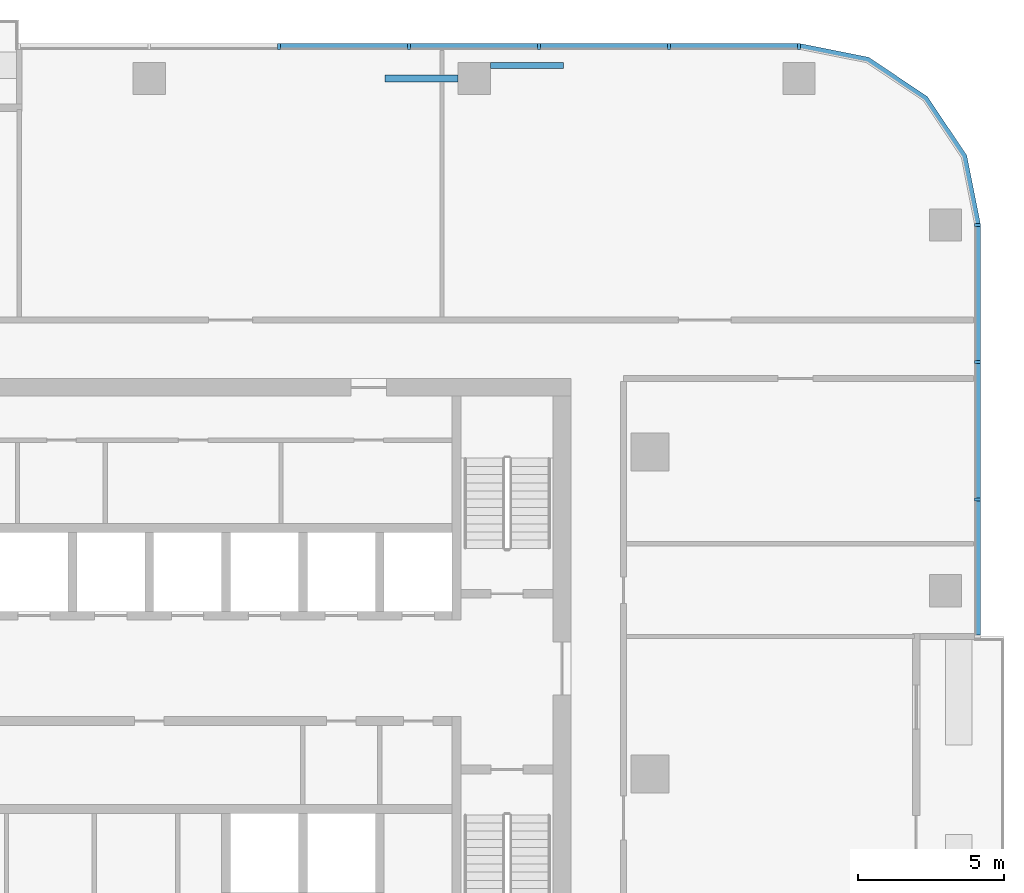
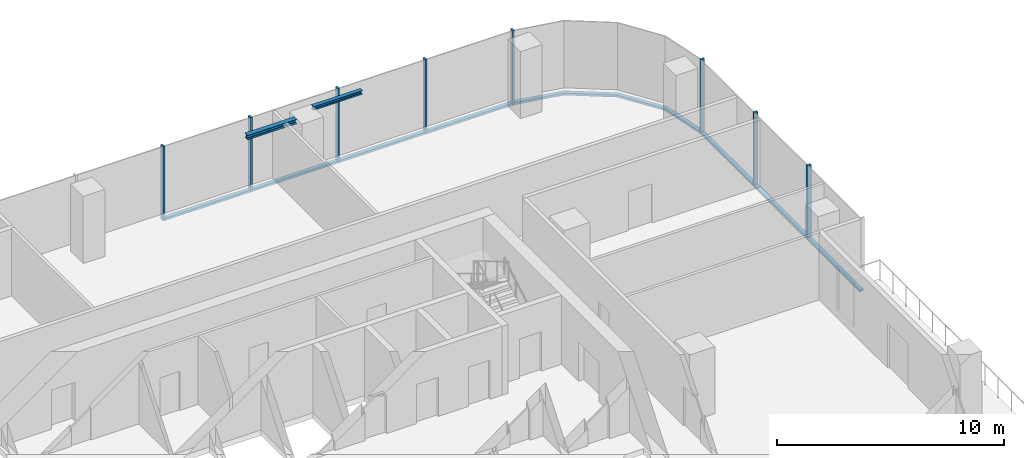
# One storey, part 5 of 14: 16 members, 2 beams, 3 elements without a shape of their own.
"""IFC4 building model written with IfcOpenShell, lengths in metres."""

from ifc_helpers import new_model, si_unit, direction, frame, origin, origin_2d, place, context, subcontext, project, spatial, polyline, rectangle, i_section, outline, extrude, material, material_profile, profile_set, type_object, element, aggregate, save


model = new_model("IFC4")

# Units and contexts
model_context = context("Model", 3, precision=1e-05, world=origin(), true_north=direction((0.0, 1.0)))
body_context = subcontext(model_context, "Body", "Model", "MODEL_VIEW")
ifc_project = project(units=[si_unit("LENGTHUNIT", "METRE"), si_unit("AREAUNIT", "SQUARE_METRE"), si_unit("VOLUMEUNIT", "CUBIC_METRE"), si_unit("PLANEANGLEUNIT", "RADIAN"), si_unit("MASSUNIT", "GRAM", prefix="KILO")], contexts=[model_context])

# Site, building, storey
site_placement = place(None, origin())
site = spatial("IfcSite", under=ifc_project, at=site_placement, CompositionType="ELEMENT")
building_placement = place(site_placement, origin())
building = spatial("IfcBuilding", under=site, at=building_placement, Name="Mopane Tessera Tower", CompositionType="ELEMENT")
storey_placement = place(building_placement, frame((0.0, 0.0, 231.0)))
storey = spatial("IfcBuildingStorey", under=building, at=storey_placement, Name="L49", CompositionType="ELEMENT", Elevation=231.0)

# Curtain wall, members
ifc_material_1 = material(Name="Aluminium frame", Category="aluminium")
curtain_wall_type = type_object("IfcCurtainWallType", Name="Unitised curtain wall", PredefinedType="NOTDEFINED", material=ifc_material_1)
curtain_wall_1_placement = place(storey_placement, origin())
curtain_wall_1 = element("IfcCurtainWall", 1, at=curtain_wall_1_placement, inside=storey, type_object=curtain_wall_type, Name="e:cw:L49:E:5", PredefinedType="NOTDEFINED")
ifc_material_2 = material(Name="Aluminium frame", Category="aluminium")
ifc_material_profile_1 = material_profile(ifc_material_2, rectangle(XDim=0.10009765625, YDim=0.199951171875, at=origin_2d()))
ifc_profile_set_1 = profile_set([ifc_material_profile_1], Name="Aluminium frame")
member_type_1 = type_object("IfcMemberType", Name="Aluminium mullion 100 x 200", PredefinedType="MULLION", material=ifc_profile_set_1)
member_1_placement = place(storey_placement, frame((28.300048828125, 9.375, -0.39990234375), z_axis=(0.0, 0.0, 1.0), x_axis=(0.0, 1.0, 0.0)))
member_1 = element("IfcMember", 2, at=member_1_placement, type_object=member_type_1, Name="e:cw:L49:E:5:mu6", PredefinedType="MULLION", context=body_context, shape_type="SweptSolid", body=[
    extrude(rectangle(XDim=0.10009765625, YDim=0.199951171875, at=origin_2d()), origin(), (0.0, 0.0, 1.0), 4.0),
])
member_2_placement = place(storey_placement, frame((28.300048828125, 14.0625, -0.39990234375), z_axis=(0.0, 0.0, 1.0), x_axis=(0.0, 1.0, 0.0)))
member_2 = element("IfcMember", 3, at=member_2_placement, type_object=member_type_1, Name="e:cw:L49:E:5:mu7", PredefinedType="MULLION", context=body_context, shape_type="SweptSolid", body=[
    extrude(rectangle(XDim=0.10009765625, YDim=0.199951171875, at=origin_2d()), origin(), (0.0, 0.0, 1.0), 4.0),
])
member_3_placement = place(storey_placement, frame((28.300048828125, 18.75, -0.39990234375), z_axis=(0.0, 0.0, 1.0), x_axis=(0.0, 1.0, 0.0)))
member_3 = element("IfcMember", 4, at=member_3_placement, type_object=member_type_1, Name="e:cw:L49:E:5:mu8", PredefinedType="MULLION", context=body_context, shape_type="SweptSolid", body=[
    extrude(rectangle(XDim=0.10009765625, YDim=0.199951171875, at=origin_2d()), origin(), (0.0, 0.0, 1.0), 4.0),
])

curtain_wall_2_placement = place(storey_placement, origin())
curtain_wall_2 = element("IfcCurtainWall", 5, at=curtain_wall_2_placement, inside=storey, type_object=curtain_wall_type, Name="e:cw:L49:N:0", PredefinedType="NOTDEFINED")
member_4_placement = place(storey_placement, frame((22.199951171875, 24.85009765625, -0.39990234375), z_axis=(0.0, 0.0, 1.0), x_axis=(-1.0, 0.0, 0.0)))
member_4 = element("IfcMember", 6, at=member_4_placement, type_object=member_type_1, Name="e:cw:L49:N:0:mu0", PredefinedType="MULLION", context=body_context, shape_type="SweptSolid", body=[
    extrude(rectangle(XDim=0.10009765625, YDim=0.199951171875, at=origin_2d()), origin(), (0.0, 0.0, 1.0), 4.0),
])
member_5_placement = place(storey_placement, frame((17.760009765625, 24.85009765625, -0.39990234375), z_axis=(0.0, 0.0, 1.0), x_axis=(-1.0, 0.0, 0.0)))
member_5 = element("IfcMember", 7, at=member_5_placement, type_object=member_type_1, Name="e:cw:L49:N:0:mu1", PredefinedType="MULLION", context=body_context, shape_type="SweptSolid", body=[
    extrude(rectangle(XDim=0.10009765625, YDim=0.199951171875, at=origin_2d()), origin(), (0.0, 0.0, 1.0), 4.0),
])
member_6_placement = place(storey_placement, frame((13.320068359375, 24.85009765625, -0.39990234375), z_axis=(0.0, 0.0, 1.0), x_axis=(-1.0, 0.0, 0.0)))
member_6 = element("IfcMember", 8, at=member_6_placement, type_object=member_type_1, Name="e:cw:L49:N:0:mu2", PredefinedType="MULLION", context=body_context, shape_type="SweptSolid", body=[
    extrude(rectangle(XDim=0.10009765625, YDim=0.199951171875, at=origin_2d()), origin(), (0.0, 0.0, 1.0), 4.0),
])
member_7_placement = place(storey_placement, frame((8.8798828125, 24.85009765625, -0.39990234375), z_axis=(0.0, 0.0, 1.0), x_axis=(-1.0, 0.0, 0.0)))
member_7 = element("IfcMember", 9, at=member_7_placement, type_object=member_type_1, Name="e:cw:L49:N:0:mu3", PredefinedType="MULLION", context=body_context, shape_type="SweptSolid", body=[
    extrude(rectangle(XDim=0.10009765625, YDim=0.199951171875, at=origin_2d()), origin(), (0.0, 0.0, 1.0), 4.0),
])
member_8_placement = place(storey_placement, frame((4.43994140625, 24.85009765625, -0.39990234375), z_axis=(0.0, 0.0, 1.0), x_axis=(-1.0, 0.0, 0.0)))
member_8 = element("IfcMember", 10, at=member_8_placement, type_object=member_type_1, Name="e:cw:L49:N:0:mu4", PredefinedType="MULLION", context=body_context, shape_type="SweptSolid", body=[
    extrude(rectangle(XDim=0.10009765625, YDim=0.199951171875, at=origin_2d()), origin(), (0.0, 0.0, 1.0), 4.0),
])

# Member
ifc_material_3 = material(Name="Aluminium frame", Category="aluminium")
ifc_material_profile_2 = material_profile(ifc_material_3, rectangle(XDim=0.199951171875, YDim=0.1201171875, at=origin_2d()))
ifc_profile_set_2 = profile_set([ifc_material_profile_2], Name="Aluminium frame")
member_type_2 = type_object("IfcMemberType", Name="Aluminium transom 200 x 120", PredefinedType="USERDEFINED", material=ifc_profile_set_2)
member_9_placement = place(storey_placement, frame((28.300048828125, 4.737548828125, -0.340087890625), z_axis=(0.0, 1.0, 0.0), x_axis=(-1.0, 0.0, 0.0)))
member_9 = element("IfcMember", 11, at=member_9_placement, type_object=member_type_2, Name="e:cw:L49:E:5:tr5", ObjectType="TRANSOM", PredefinedType="USERDEFINED", context=body_context, shape_type="SweptSolid", body=[
    extrude(rectangle(XDim=0.199951171875, YDim=0.1201171875, at=origin_2d()), origin(), (0.0, 0.0, 1.0), 4.58740234375),
])

member_10_placement = place(storey_placement, frame((28.300048828125, 9.425048828125, -0.340087890625), z_axis=(0.0, 1.0, 0.0), x_axis=(-1.0, 0.0, 0.0)))
member_10 = element("IfcMember", 12, at=member_10_placement, type_object=member_type_2, Name="e:cw:L49:E:5:tr6", ObjectType="TRANSOM", PredefinedType="USERDEFINED", context=body_context, shape_type="SweptSolid", body=[
    extrude(rectangle(XDim=0.199951171875, YDim=0.1201171875, at=origin_2d()), origin(), (0.0, 0.0, 1.0), 4.58740234375),
])

member_11_placement = place(storey_placement, frame((28.300048828125, 14.112548828125, -0.340087890625), z_axis=(0.0, 1.0, 0.0), x_axis=(-1.0, 0.0, 0.0)))
member_11 = element("IfcMember", 13, at=member_11_placement, type_object=member_type_2, Name="e:cw:L49:E:5:tr7", ObjectType="TRANSOM", PredefinedType="USERDEFINED", context=body_context, shape_type="SweptSolid", body=[
    extrude(rectangle(XDim=0.199951171875, YDim=0.1201171875, at=origin_2d()), origin(), (0.0, 0.0, 1.0), 4.58740234375),
])

aggregate(curtain_wall_1, [member_1, member_2, member_3, member_9, member_10, member_11])

# Curtain wall, member
curtain_wall_3_placement = place(storey_placement, origin())
curtain_wall_3 = element("IfcCurtainWall", 14, at=curtain_wall_3_placement, inside=storey, type_object=curtain_wall_type, Name="e:cw:L49:CE", PredefinedType="NOTDEFINED")
member_12_placement = place(storey_placement, frame((0.0, 0.0, -0.39990234375)))
member_12 = element("IfcMember", 15, at=member_12_placement, type_object=member_type_2, Name="e:cw:L49:CE:tr", ObjectType="TRANSOM", PredefinedType="USERDEFINED", context=body_context, shape_type="SweptSolid", body=[
    extrude(outline(polyline([(28.199951171875, 18.75), (27.7431640625, 21.046142578125), (26.442626953125, 22.99267578125), (24.49609375, 24.293212890625), (22.199951171875, 24.75), (22.199951171875, 24.949951171875), (24.57275390625, 24.47802734375), (26.583984375, 23.134033203125), (27.927978515625, 21.12255859375), (28.39990234375, 18.75), (28.199951171875, 18.75)])), origin(), (0.0, 0.0, 1.0), 0.119873046875),
])
aggregate(curtain_wall_3, [member_12])

# Member
member_13_placement = place(storey_placement, frame((22.14990234375, 24.85009765625, -0.340087890625), z_axis=(-1.0, 0.0, 0.0), x_axis=(0.0, -1.0, 0.0)))
member_13 = element("IfcMember", 16, at=member_13_placement, type_object=member_type_2, Name="e:cw:L49:N:0:tr0", ObjectType="TRANSOM", PredefinedType="USERDEFINED", context=body_context, shape_type="SweptSolid", body=[
    extrude(rectangle(XDim=0.199951171875, YDim=0.1201171875, at=origin_2d()), origin(), (0.0, 0.0, 1.0), 4.33984375),
])

member_14_placement = place(storey_placement, frame((17.7099609375, 24.85009765625, -0.340087890625), z_axis=(-1.0, 0.0, 0.0), x_axis=(0.0, -1.0, 0.0)))
member_14 = element("IfcMember", 17, at=member_14_placement, type_object=member_type_2, Name="e:cw:L49:N:0:tr1", ObjectType="TRANSOM", PredefinedType="USERDEFINED", context=body_context, shape_type="SweptSolid", body=[
    extrude(rectangle(XDim=0.199951171875, YDim=0.1201171875, at=origin_2d()), origin(), (0.0, 0.0, 1.0), 4.33984375),
])

member_15_placement = place(storey_placement, frame((13.27001953125, 24.85009765625, -0.340087890625), z_axis=(-1.0, 0.0, 0.0), x_axis=(0.0, -1.0, 0.0)))
member_15 = element("IfcMember", 18, at=member_15_placement, type_object=member_type_2, Name="e:cw:L49:N:0:tr2", ObjectType="TRANSOM", PredefinedType="USERDEFINED", context=body_context, shape_type="SweptSolid", body=[
    extrude(rectangle(XDim=0.199951171875, YDim=0.1201171875, at=origin_2d()), origin(), (0.0, 0.0, 1.0), 4.340087890625),
])

member_16_placement = place(storey_placement, frame((8.830078125, 24.85009765625, -0.340087890625), z_axis=(-1.0, 0.0, 0.0), x_axis=(0.0, -1.0, 0.0)))
member_16 = element("IfcMember", 19, at=member_16_placement, type_object=member_type_2, Name="e:cw:L49:N:0:tr3", ObjectType="TRANSOM", PredefinedType="USERDEFINED", context=body_context, shape_type="SweptSolid", body=[
    extrude(rectangle(XDim=0.199951171875, YDim=0.1201171875, at=origin_2d()), origin(), (0.0, 0.0, 1.0), 4.340087890625),
])

aggregate(curtain_wall_2, [member_4, member_5, member_6, member_7, member_8, member_13, member_14, member_15, member_16])

# Beams
ifc_material_4 = material(Name="Structural steel S460", Category="steel")
ifc_material_profile_3 = material_profile(ifc_material_4, i_section(OverallWidth=0.239990234375, OverallDepth=0.239990234375, WebThickness=0.010009765625, FlangeThickness=0.01708984375, FilletRadius=0.02099609375, at=origin_2d()))
ifc_profile_set_3 = profile_set([ifc_material_profile_3], Name="Structural steel S460")
beam_type_1 = type_object("IfcBeamType", Name="Terrace spandrel beam HE 240 B", PredefinedType="SPANDREL", material=ifc_profile_set_3)
beam_1_placement = place(storey_placement, frame((10.547119140625, 23.75, 3.47998046875), z_axis=(-1.0, 0.0, 0.0), x_axis=(0.0, -1.0, 0.0)))
element("IfcBeam", 20, at=beam_1_placement, inside=storey, type_object=beam_type_1, Name="Terrace spandrel beam N2 L50", PredefinedType="SPANDREL", context=body_context, shape_type="SweptSolid", body=[
    extrude(i_section(OverallWidth=0.239990234375, OverallDepth=0.239990234375, WebThickness=0.010009765625, FlangeThickness=0.01708984375, FilletRadius=0.02099609375, at=origin_2d()), origin(), (0.0, 0.0, 1.0), 2.5),
])
ifc_material_5 = material(Name="Structural steel S460", Category="steel")
ifc_material_profile_4 = material_profile(ifc_material_5, i_section(OverallWidth=0.199951171875, OverallDepth=0.199951171875, WebThickness=0.009033203125, FlangeThickness=0.014892578125, FilletRadius=0.01806640625, at=origin_2d()))
ifc_profile_set_4 = profile_set([ifc_material_profile_4], Name="Structural steel S460")
beam_type_2 = type_object("IfcBeamType", Name="Terrace trimmer beam HE 200 B", PredefinedType="BEAM", material=ifc_profile_set_4)
beam_2_placement = place(storey_placement, frame((11.653076171875, 24.18994140625, 3.5), z_axis=(1.0, 0.0, 0.0), x_axis=(0.0, 1.0, 0.0)))
element("IfcBeam", 21, at=beam_2_placement, inside=storey, type_object=beam_type_2, Name="Terrace trimmer beam N2 L50", PredefinedType="BEAM", context=body_context, shape_type="SweptSolid", body=[
    extrude(i_section(OverallWidth=0.199951171875, OverallDepth=0.199951171875, WebThickness=0.009033203125, FlangeThickness=0.014892578125, FilletRadius=0.01806640625, at=origin_2d()), origin(), (0.0, 0.0, 1.0), 2.5),
])

save(model, "model.ifc")
